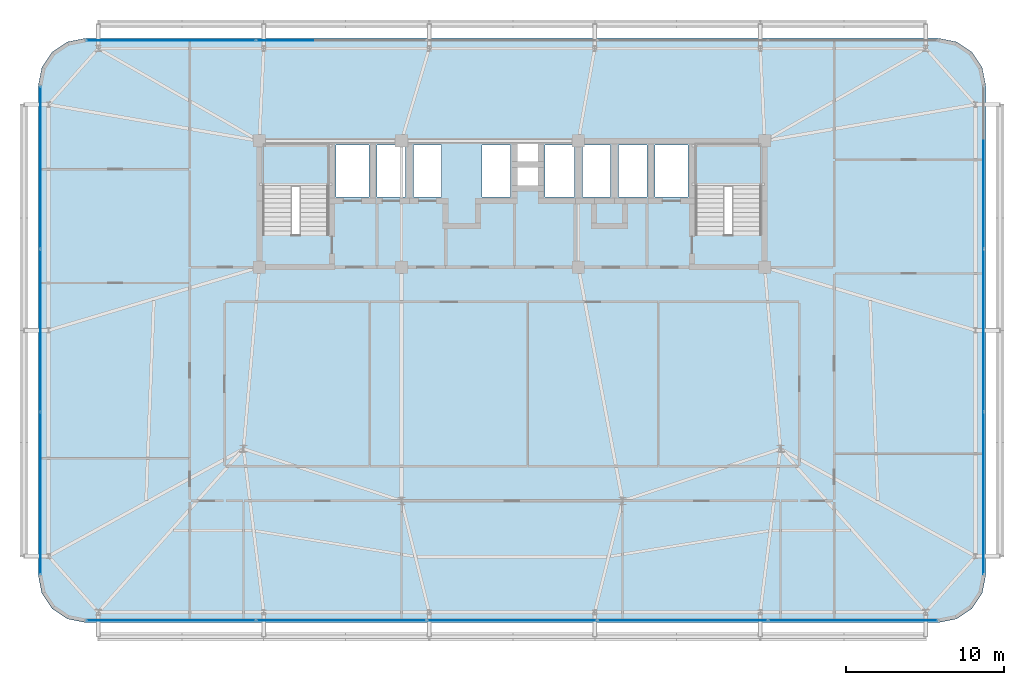
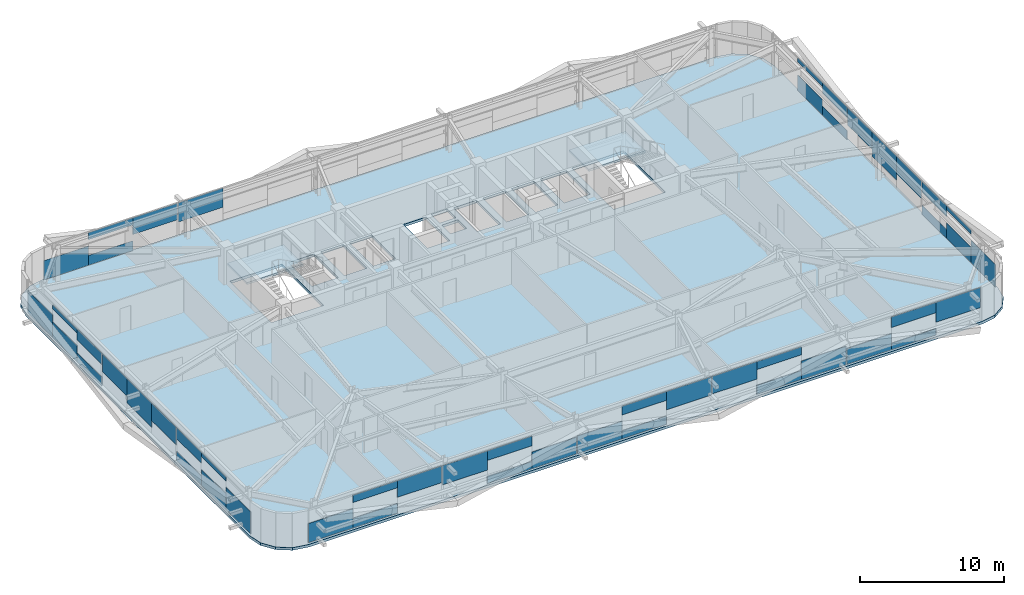
# One storey, part 29 of 45: 50 plates, 3 slabs, 6 elements without a shape of their own.
"""IFC4 building model written with IfcOpenShell, lengths in metres."""

from ifc_helpers import new_model, si_unit, direction, frame, origin, origin_2d, place, context, subcontext, project, spatial, polyline, rectangle, outline, extrude, source, transform, mapped, material, layer, layer_set, type_object, element, aggregate, save


model = new_model("IFC4")

# Units and contexts
model_context = context("Model", 3, precision=1e-05, world=origin(), true_north=direction((0.0, 1.0)))
body_context = subcontext(model_context, "Body", "Model", "MODEL_VIEW")
ifc_project = project(units=[si_unit("LENGTHUNIT", "METRE"), si_unit("AREAUNIT", "SQUARE_METRE"), si_unit("VOLUMEUNIT", "CUBIC_METRE"), si_unit("PLANEANGLEUNIT", "RADIAN"), si_unit("MASSUNIT", "GRAM", prefix="KILO")], contexts=[model_context])

# Site, building, storey
site_placement = place(None, origin())
site = spatial("IfcSite", under=ifc_project, at=site_placement, CompositionType="ELEMENT")
building_placement = place(site_placement, origin())
building = spatial("IfcBuilding", under=site, at=building_placement, Name="Taldren Reach Tower", CompositionType="ELEMENT")
storey_placement = place(building_placement, frame((0.0, 0.0, 57.75)))
storey = spatial("IfcBuildingStorey", under=building, at=storey_placement, Name="L17", CompositionType="ELEMENT", Elevation=57.75)

# Slab
ifc_material_1 = material(Name="Concrete N40 (40 MPa)", Category="concrete")
ifc_layer_1 = layer(ifc_material_1, 0.219970703125)
ifc_layer_set_1 = layer_set([ifc_layer_1], Name="Concrete N40 (40 MPa)")
slab_type_1 = type_object("IfcSlabType", Name="SL-FLR-220", PredefinedType="FLOOR", material=ifc_layer_set_1)
slab_1_placement = place(storey_placement, frame((0.0, 0.0, -0.219970703125)))
element("IfcSlab", 1, at=slab_1_placement, inside=storey, type_object=slab_type_1, Name="Suspended floor slab L17", PredefinedType="FLOOR", context=body_context, shape_type="SweptSolid", body=[
    extrude(outline(polyline([(62.0, 1.5), (63.14794921875, 1.728271484375), (64.121337890625, 2.378662109375), (64.771728515625, 3.35205078125), (65.0, 4.5), (65.0, 35.5), (64.771728515625, 36.64794921875), (64.121337890625, 37.621337890625), (63.14794921875, 38.271728515625), (62.0, 38.5), (8.0, 38.5), (6.85205078125, 38.271728515625), (5.878662109375, 37.621337890625), (5.228271484375, 36.64794921875), (5.0, 35.5), (5.0, 4.5), (5.228271484375, 3.35205078125), (5.878662109375, 2.378662109375), (6.85205078125, 1.728271484375), (8.0, 1.5), (62.0, 1.5)]), holes=[polyline([(19.219970703125, 26.050048828125), (23.3798828125, 26.050048828125), (23.3798828125, 31.820068359375), (19.219970703125, 31.820068359375), (19.219970703125, 26.050048828125)]), polyline([(46.6201171875, 26.050048828125), (50.780029296875, 26.050048828125), (50.780029296875, 31.820068359375), (46.6201171875, 31.820068359375), (46.6201171875, 26.050048828125)]), polyline([(23.85009765625, 28.449951171875), (25.949951171875, 28.449951171875), (25.949951171875, 31.75), (23.85009765625, 31.75), (23.85009765625, 28.449951171875)]), polyline([(44.050048828125, 28.449951171875), (46.14990234375, 28.449951171875), (46.14990234375, 31.75), (44.050048828125, 31.75), (44.050048828125, 28.449951171875)]), polyline([(26.449951171875, 28.449951171875), (28.25, 28.449951171875), (28.25, 31.75), (26.449951171875, 31.75), (26.449951171875, 28.449951171875)]), polyline([(28.75, 28.449951171875), (30.550048828125, 28.449951171875), (30.550048828125, 31.75), (28.75, 31.75), (28.75, 28.449951171875)]), polyline([(33.10009765625, 28.449951171875), (34.89990234375, 28.449951171875), (34.89990234375, 31.75), (33.10009765625, 31.75), (33.10009765625, 28.449951171875)]), polyline([(37.10009765625, 28.449951171875), (38.949951171875, 28.449951171875), (38.949951171875, 31.75), (37.10009765625, 31.75), (37.10009765625, 28.449951171875)]), polyline([(39.449951171875, 28.449951171875), (41.25, 28.449951171875), (41.25, 31.75), (39.449951171875, 31.75), (39.449951171875, 28.449951171875)]), polyline([(41.75, 28.449951171875), (43.550048828125, 28.449951171875), (43.550048828125, 31.75), (41.75, 31.75), (41.75, 28.449951171875)]), polyline([(35.35009765625, 30.64990234375), (36.64990234375, 30.64990234375), (36.64990234375, 31.85009765625), (35.35009765625, 31.85009765625), (35.35009765625, 30.64990234375)]), polyline([(35.35009765625, 29.14990234375), (36.64990234375, 29.14990234375), (36.64990234375, 30.35009765625), (35.35009765625, 30.35009765625), (35.35009765625, 29.14990234375)])]), origin(), (0.0, 0.0, 1.0), 0.219970703125),
])

# Stair, slab
ifc_material_2 = material(Name="Concrete S50 (50 MPa)", Category="concrete")
stair_type = type_object("IfcStairType", Name="ST-HT-315", PredefinedType="HALF_TURN_STAIR", material=ifc_material_2)
stair_1_placement = place(storey_placement, origin())
stair_1 = element("IfcStair", 2, at=stair_1_placement, inside=storey, type_object=stair_type, Name="Fire-isolated exit stair ST1 L17", PredefinedType="HALF_TURN_STAIR")
ifc_layer_2 = layer(ifc_material_2, 0.179931640625)
ifc_layer_set_2 = layer_set([ifc_layer_2], Name="Concrete S50 (50 MPa)")
slab_type_2 = type_object("IfcSlabType", Name="SL-LAND-180", PredefinedType="LANDING", material=ifc_layer_set_2)
slab_2_placement = place(storey_placement, frame((0.0, 0.0, 1.39501953125)))
slab_2 = element("IfcSlab", 3, at=slab_2_placement, type_object=slab_type_2, Name="ST1 landing 1", PredefinedType="LANDING", context=body_context, shape_type="SweptSolid", body=[
    extrude(outline(polyline([(19.0400390625, 29.135009765625), (23.56005859375, 29.135009765625), (23.56005859375, 31.8701171875), (19.0400390625, 31.8701171875), (19.0400390625, 29.135009765625)])), origin(), (0.0, 0.0, 1.0), 0.179931640625),
])
aggregate(stair_1, [slab_2])

stair_2_placement = place(storey_placement, origin())
stair_2 = element("IfcStair", 4, at=stair_2_placement, inside=storey, type_object=stair_type, Name="Fire-isolated exit stair ST2 L17", PredefinedType="HALF_TURN_STAIR")
slab_3_placement = place(storey_placement, frame((0.0, 0.0, 1.39501953125)))
slab_3 = element("IfcSlab", 5, at=slab_3_placement, type_object=slab_type_2, Name="ST2 landing 1", PredefinedType="LANDING", context=body_context, shape_type="SweptSolid", body=[
    extrude(outline(polyline([(46.43994140625, 29.135009765625), (50.9599609375, 29.135009765625), (50.9599609375, 31.8701171875), (46.43994140625, 31.8701171875), (46.43994140625, 29.135009765625)])), origin(), (0.0, 0.0, 1.0), 0.179931640625),
])
aggregate(stair_2, [slab_3])

# Curtain wall, plate
ifc_material_3 = material(Name="Aluminium and Low-E Glass Unitised System", Category="aluminium")
ifc_layer_3 = layer(ifc_material_3, 0.159912109375)
ifc_layer_set_3 = layer_set([ifc_layer_3], Name="Aluminium and Low-E Glass Unitised System")
curtain_wall_type = type_object("IfcCurtainWallType", Name="CW-SYS-2", PredefinedType="NOTDEFINED", material=ifc_layer_set_3)
curtain_wall_1_placement = place(storey_placement, origin())
curtain_wall_1 = element("IfcCurtainWall", 6, at=curtain_wall_1_placement, inside=storey, type_object=curtain_wall_type, Name="Unitised curtain wall CW-L17-S", PredefinedType="NOTDEFINED")
ifc_material_4 = material(Name="Solar-Control Double Glazed IGU", Category="glass")
ifc_layer_4 = layer(ifc_material_4, 0.031982421875)
ifc_layer_set_4 = layer_set([ifc_layer_4], Name="Solar-Control Double Glazed IGU")
plate_type = type_object("IfcPlateType", Name="CW-PNL-IGU32", PredefinedType="CURTAIN_PANEL", material=ifc_layer_set_4)
shared_shape_1 = source(origin(), body_context, "Body", "SweptSolid", [
    extrude(rectangle(XDim=3.5673828125, YDim=0.031982421875, at=origin_2d()), origin(), (0.0, 0.0, 1.0), 1.6279296875),
])
plate_1_placement = place(storey_placement, frame((9.8486328125, 1.639892578125, 0.054931640625), z_axis=(0.0, 0.0, 1.0), x_axis=(1.0, 0.0, 0.0)))
plate_1 = element("IfcPlate", 7, at=plate_1_placement, type_object=plate_type, Name="CW-2 panel 1.1 part 1", PredefinedType="CURTAIN_PANEL", context=body_context, shape_type="MappedRepresentation", body=[
    mapped(shared_shape_1, transform((0.0, 0.0, 0.0), scale=1.0)),
])

curtain_wall_2_placement = place(storey_placement, origin())
curtain_wall_2 = element("IfcCurtainWall", 8, at=curtain_wall_2_placement, inside=storey, type_object=curtain_wall_type, Name="Unitised curtain wall CW-L17-N", PredefinedType="NOTDEFINED")
plate_2_placement = place(storey_placement, frame((9.8486328125, 38.360107421875, 0.054931640625), z_axis=(0.0, 0.0, 1.0), x_axis=(-1.0, 0.0, 0.0)))
plate_2 = element("IfcPlate", 9, at=plate_2_placement, type_object=plate_type, Name="CW-2 panel 5.1 part 4", PredefinedType="CURTAIN_PANEL", context=body_context, shape_type="MappedRepresentation", body=[
    mapped(shared_shape_1, transform((0.0, 0.0, 0.0), scale=1.0)),
])

# Plate
shared_shape_2 = source(origin(), body_context, "Body", "SweptSolid", [
    extrude(rectangle(XDim=3.5673828125, YDim=0.031982421875, at=origin_2d()), origin(), (0.0, 0.0, 1.0), 0.8212890625),
])
plate_3_placement = place(storey_placement, frame((13.416259765625, 1.639892578125, 0.054931640625), z_axis=(0.0, 0.0, 1.0), x_axis=(1.0, 0.0, 0.0)))
plate_3 = element("IfcPlate", 10, at=plate_3_placement, type_object=plate_type, Name="CW-2 panel 1.1 part 2", PredefinedType="CURTAIN_PANEL", context=body_context, shape_type="MappedRepresentation", body=[
    mapped(shared_shape_2, transform((0.0, 0.0, 0.0), scale=1.0)),
])

plate_4_placement = place(storey_placement, frame((13.416259765625, 38.360107421875, 0.054931640625), z_axis=(0.0, 0.0, 1.0), x_axis=(-1.0, 0.0, 0.0)))
plate_4 = element("IfcPlate", 11, at=plate_4_placement, type_object=plate_type, Name="CW-2 panel 5.1 part 2", PredefinedType="CURTAIN_PANEL", context=body_context, shape_type="MappedRepresentation", body=[
    mapped(shared_shape_2, transform((0.0, 0.0, 0.0), scale=1.0)),
])

shared_shape_3 = source(origin(), body_context, "Body", "SweptSolid", [
    extrude(rectangle(XDim=3.5673828125, YDim=0.031982421875, at=origin_2d()), origin(), (0.0, 0.0, 1.0), 0.59912109375),
])
plate_5_placement = place(storey_placement, frame((13.416259765625, 1.639892578125, 2.2158203125), z_axis=(0.0, 0.0, 1.0), x_axis=(1.0, 0.0, 0.0)))
plate_5 = element("IfcPlate", 12, at=plate_5_placement, type_object=plate_type, Name="CW-2 panel 1.1 part 3", PredefinedType="CURTAIN_PANEL", context=body_context, shape_type="MappedRepresentation", body=[
    mapped(shared_shape_3, transform((0.0, 0.0, 0.0), scale=1.0)),
])

plate_6_placement = place(storey_placement, frame((13.416259765625, 38.360107421875, 2.2158203125), z_axis=(0.0, 0.0, 1.0), x_axis=(-1.0, 0.0, 0.0)))
plate_6 = element("IfcPlate", 13, at=plate_6_placement, type_object=plate_type, Name="CW-2 panel 5.1 part 3", PredefinedType="CURTAIN_PANEL", context=body_context, shape_type="MappedRepresentation", body=[
    mapped(shared_shape_3, transform((0.0, 0.0, 0.0), scale=1.0)),
])

shared_shape_4 = source(origin(), body_context, "Body", "SweptSolid", [
    extrude(rectangle(XDim=3.5673828125, YDim=0.031982421875, at=origin_2d()), origin(), (0.0, 0.0, 1.0), 1.406005859375),
])
plate_7_placement = place(storey_placement, frame((16.983642578125, 1.639892578125, 1.4091796875), z_axis=(0.0, 0.0, 1.0), x_axis=(1.0, 0.0, 0.0)))
plate_7 = element("IfcPlate", 14, at=plate_7_placement, type_object=plate_type, Name="CW-2 panel 1.1 part 4", PredefinedType="CURTAIN_PANEL", context=body_context, shape_type="MappedRepresentation", body=[
    mapped(shared_shape_4, transform((0.0, 0.0, 0.0), scale=1.0)),
])

plate_8_placement = place(storey_placement, frame((16.983642578125, 38.360107421875, 1.4091796875), z_axis=(0.0, 0.0, 1.0), x_axis=(-1.0, 0.0, 0.0)))
plate_8 = element("IfcPlate", 15, at=plate_8_placement, type_object=plate_type, Name="CW-2 panel 5.1 part 1", PredefinedType="CURTAIN_PANEL", context=body_context, shape_type="MappedRepresentation", body=[
    mapped(shared_shape_4, transform((0.0, 0.0, 0.0), scale=1.0)),
])

shared_shape_5 = source(origin(), body_context, "Body", "SweptSolid", [
    extrude(rectangle(XDim=3.578369140625, YDim=0.031982421875, at=origin_2d()), origin(), (0.0, 0.0, 1.0), 1.62060546875),
])
plate_9_placement = place(storey_placement, frame((20.62158203125, 1.639892578125, 1.1943359375), z_axis=(0.0, 0.0, 1.0), x_axis=(1.0, 0.0, 0.0)))
plate_9 = element("IfcPlate", 16, at=plate_9_placement, type_object=plate_type, Name="CW-2 panel 2.1 part 1", PredefinedType="CURTAIN_PANEL", context=body_context, shape_type="MappedRepresentation", body=[
    mapped(shared_shape_5, transform((0.0, 0.0, 0.0), scale=1.0)),
])

plate_10_placement = place(storey_placement, frame((20.62158203125, 38.360107421875, 1.1943359375), z_axis=(0.0, 0.0, 1.0), x_axis=(-1.0, 0.0, 0.0)))
plate_10 = element("IfcPlate", 17, at=plate_10_placement, type_object=plate_type, Name="CW-2 panel 4.1 part 4", PredefinedType="CURTAIN_PANEL", context=body_context, shape_type="MappedRepresentation", body=[
    mapped(shared_shape_5, transform((0.0, 0.0, 0.0), scale=1.0)),
])

aggregate(curtain_wall_2, [plate_10, plate_8, plate_4, plate_6, plate_2])

shared_shape_6 = source(origin(), body_context, "Body", "SweptSolid", [
    extrude(rectangle(XDim=3.578369140625, YDim=0.031982421875, at=origin_2d()), origin(), (0.0, 0.0, 1.0), 0.606689453125),
])
plate_11_placement = place(storey_placement, frame((24.199951171875, 1.639892578125, 0.05517578125), z_axis=(0.0, 0.0, 1.0), x_axis=(1.0, 0.0, 0.0)))
plate_11 = element("IfcPlate", 18, at=plate_11_placement, type_object=plate_type, Name="CW-2 panel 2.1 part 2", PredefinedType="CURTAIN_PANEL", context=body_context, shape_type="MappedRepresentation", body=[
    mapped(shared_shape_6, transform((0.0, 0.0, 0.0), scale=1.0)),
])

shared_shape_7 = source(origin(), body_context, "Body", "SweptSolid", [
    extrude(rectangle(XDim=3.578369140625, YDim=0.031982421875, at=origin_2d()), origin(), (0.0, 0.0, 1.0), 0.811279296875),
])
plate_12_placement = place(storey_placement, frame((24.199951171875, 1.639892578125, 2.00390625), z_axis=(0.0, 0.0, 1.0), x_axis=(1.0, 0.0, 0.0)))
plate_12 = element("IfcPlate", 19, at=plate_12_placement, type_object=plate_type, Name="CW-2 panel 2.1 part 3", PredefinedType="CURTAIN_PANEL", context=body_context, shape_type="MappedRepresentation", body=[
    mapped(shared_shape_7, transform((0.0, 0.0, 0.0), scale=1.0)),
])

shared_shape_8 = source(origin(), body_context, "Body", "SweptSolid", [
    extrude(rectangle(XDim=3.578369140625, YDim=0.031982421875, at=origin_2d()), origin(), (0.0, 0.0, 1.0), 1.415771484375),
])
plate_13_placement = place(storey_placement, frame((27.7783203125, 1.639892578125, 0.05517578125), z_axis=(0.0, 0.0, 1.0), x_axis=(1.0, 0.0, 0.0)))
plate_13 = element("IfcPlate", 20, at=plate_13_placement, type_object=plate_type, Name="CW-2 panel 2.1 part 4", PredefinedType="CURTAIN_PANEL", context=body_context, shape_type="MappedRepresentation", body=[
    mapped(shared_shape_8, transform((0.0, 0.0, 0.0), scale=1.0)),
])

shared_shape_9 = source(origin(), body_context, "Body", "SweptSolid", [
    extrude(rectangle(XDim=3.578369140625, YDim=0.031982421875, at=origin_2d()), origin(), (0.0, 0.0, 1.0), 1.48828125),
])
plate_14_placement = place(storey_placement, frame((31.421630859375, 1.639892578125, 0.054931640625), z_axis=(0.0, 0.0, 1.0), x_axis=(1.0, 0.0, 0.0)))
plate_14 = element("IfcPlate", 21, at=plate_14_placement, type_object=plate_type, Name="CW-2 panel 3.1 part 1", PredefinedType="CURTAIN_PANEL", context=body_context, shape_type="MappedRepresentation", body=[
    mapped(shared_shape_9, transform((0.0, 0.0, 0.0), scale=1.0)),
])

shared_shape_10 = source(origin(), body_context, "Body", "SweptSolid", [
    extrude(rectangle(XDim=3.578369140625, YDim=0.031982421875, at=origin_2d()), origin(), (0.0, 0.0, 1.0), 0.678955078125),
])
plate_15_placement = place(storey_placement, frame((35.0, 1.639892578125, 0.05517578125), z_axis=(0.0, 0.0, 1.0), x_axis=(1.0, 0.0, 0.0)))
plate_15 = element("IfcPlate", 22, at=plate_15_placement, type_object=plate_type, Name="CW-2 panel 3.1 part 2", PredefinedType="CURTAIN_PANEL", context=body_context, shape_type="MappedRepresentation", body=[
    mapped(shared_shape_10, transform((0.0, 0.0, 0.0), scale=1.0)),
])

shared_shape_11 = source(origin(), body_context, "Body", "SweptSolid", [
    extrude(rectangle(XDim=3.578369140625, YDim=0.031982421875, at=origin_2d()), origin(), (0.0, 0.0, 1.0), 0.739013671875),
])
plate_16_placement = place(storey_placement, frame((35.0, 1.639892578125, 2.076171875), z_axis=(0.0, 0.0, 1.0), x_axis=(1.0, 0.0, 0.0)))
plate_16 = element("IfcPlate", 23, at=plate_16_placement, type_object=plate_type, Name="CW-2 panel 3.1 part 3", PredefinedType="CURTAIN_PANEL", context=body_context, shape_type="MappedRepresentation", body=[
    mapped(shared_shape_11, transform((0.0, 0.0, 0.0), scale=1.0)),
])

shared_shape_12 = source(origin(), body_context, "Body", "SweptSolid", [
    extrude(rectangle(XDim=3.578369140625, YDim=0.031982421875, at=origin_2d()), origin(), (0.0, 0.0, 1.0), 1.548095703125),
])
plate_17_placement = place(storey_placement, frame((38.578369140625, 1.639892578125, 1.26708984375), z_axis=(0.0, 0.0, 1.0), x_axis=(1.0, 0.0, 0.0)))
plate_17 = element("IfcPlate", 24, at=plate_17_placement, type_object=plate_type, Name="CW-2 panel 3.1 part 4", PredefinedType="CURTAIN_PANEL", context=body_context, shape_type="MappedRepresentation", body=[
    mapped(shared_shape_12, transform((0.0, 0.0, 0.0), scale=1.0)),
])

shared_shape_13 = source(origin(), body_context, "Body", "SweptSolid", [
    extrude(rectangle(XDim=3.578369140625, YDim=0.031982421875, at=origin_2d()), origin(), (0.0, 0.0, 1.0), 1.475830078125),
])
plate_18_placement = place(storey_placement, frame((42.2216796875, 1.639892578125, 1.33935546875), z_axis=(0.0, 0.0, 1.0), x_axis=(1.0, 0.0, 0.0)))
plate_18 = element("IfcPlate", 25, at=plate_18_placement, type_object=plate_type, Name="CW-2 panel 4.1 part 1", PredefinedType="CURTAIN_PANEL", context=body_context, shape_type="MappedRepresentation", body=[
    mapped(shared_shape_13, transform((0.0, 0.0, 0.0), scale=1.0)),
])

shared_shape_14 = source(origin(), body_context, "Body", "SweptSolid", [
    extrude(rectangle(XDim=3.578369140625, YDim=0.031982421875, at=origin_2d()), origin(), (0.0, 0.0, 1.0), 0.751220703125),
])
plate_19_placement = place(storey_placement, frame((45.800048828125, 1.639892578125, 0.05517578125), z_axis=(0.0, 0.0, 1.0), x_axis=(1.0, 0.0, 0.0)))
plate_19 = element("IfcPlate", 26, at=plate_19_placement, type_object=plate_type, Name="CW-2 panel 4.1 part 2", PredefinedType="CURTAIN_PANEL", context=body_context, shape_type="MappedRepresentation", body=[
    mapped(shared_shape_14, transform((0.0, 0.0, 0.0), scale=1.0)),
])

shared_shape_15 = source(origin(), body_context, "Body", "SweptSolid", [
    extrude(rectangle(XDim=3.578369140625, YDim=0.031982421875, at=origin_2d()), origin(), (0.0, 0.0, 1.0), 0.66650390625),
])
plate_20_placement = place(storey_placement, frame((45.800048828125, 1.639892578125, 2.1484375), z_axis=(0.0, 0.0, 1.0), x_axis=(1.0, 0.0, 0.0)))
plate_20 = element("IfcPlate", 27, at=plate_20_placement, type_object=plate_type, Name="CW-2 panel 4.1 part 3", PredefinedType="CURTAIN_PANEL", context=body_context, shape_type="MappedRepresentation", body=[
    mapped(shared_shape_15, transform((0.0, 0.0, 0.0), scale=1.0)),
])

shared_shape_16 = source(origin(), body_context, "Body", "SweptSolid", [
    extrude(rectangle(XDim=3.578369140625, YDim=0.031982421875, at=origin_2d()), origin(), (0.0, 0.0, 1.0), 1.560546875),
])
plate_21_placement = place(storey_placement, frame((49.37841796875, 1.639892578125, 0.054931640625), z_axis=(0.0, 0.0, 1.0), x_axis=(1.0, 0.0, 0.0)))
plate_21 = element("IfcPlate", 28, at=plate_21_placement, type_object=plate_type, Name="CW-2 panel 4.1 part 4", PredefinedType="CURTAIN_PANEL", context=body_context, shape_type="MappedRepresentation", body=[
    mapped(shared_shape_16, transform((0.0, 0.0, 0.0), scale=1.0)),
])

shared_shape_17 = source(origin(), body_context, "Body", "SweptSolid", [
    extrude(rectangle(XDim=3.5673828125, YDim=0.031982421875, at=origin_2d()), origin(), (0.0, 0.0, 1.0), 1.345947265625),
])
plate_22_placement = place(storey_placement, frame((53.016357421875, 1.639892578125, 0.05517578125), z_axis=(0.0, 0.0, 1.0), x_axis=(1.0, 0.0, 0.0)))
plate_22 = element("IfcPlate", 29, at=plate_22_placement, type_object=plate_type, Name="CW-2 panel 5.1 part 1", PredefinedType="CURTAIN_PANEL", context=body_context, shape_type="MappedRepresentation", body=[
    mapped(shared_shape_17, transform((0.0, 0.0, 0.0), scale=1.0)),
])

shared_shape_18 = source(origin(), body_context, "Body", "SweptSolid", [
    extrude(rectangle(XDim=3.5673828125, YDim=0.031982421875, at=origin_2d()), origin(), (0.0, 0.0, 1.0), 0.5390625),
])
plate_23_placement = place(storey_placement, frame((56.583740234375, 1.639892578125, 0.054931640625), z_axis=(0.0, 0.0, 1.0), x_axis=(1.0, 0.0, 0.0)))
plate_23 = element("IfcPlate", 30, at=plate_23_placement, type_object=plate_type, Name="CW-2 panel 5.1 part 2", PredefinedType="CURTAIN_PANEL", context=body_context, shape_type="MappedRepresentation", body=[
    mapped(shared_shape_18, transform((0.0, 0.0, 0.0), scale=1.0)),
])

shared_shape_19 = source(origin(), body_context, "Body", "SweptSolid", [
    extrude(rectangle(XDim=3.5673828125, YDim=0.031982421875, at=origin_2d()), origin(), (0.0, 0.0, 1.0), 0.88134765625),
])
plate_24_placement = place(storey_placement, frame((56.583740234375, 1.639892578125, 1.93359375), z_axis=(0.0, 0.0, 1.0), x_axis=(1.0, 0.0, 0.0)))
plate_24 = element("IfcPlate", 31, at=plate_24_placement, type_object=plate_type, Name="CW-2 panel 5.1 part 3", PredefinedType="CURTAIN_PANEL", context=body_context, shape_type="MappedRepresentation", body=[
    mapped(shared_shape_19, transform((0.0, 0.0, 0.0), scale=1.0)),
])

shared_shape_20 = source(origin(), body_context, "Body", "SweptSolid", [
    extrude(rectangle(XDim=3.5673828125, YDim=0.031982421875, at=origin_2d()), origin(), (0.0, 0.0, 1.0), 1.68798828125),
])
plate_25_placement = place(storey_placement, frame((60.1513671875, 1.639892578125, 1.126953125), z_axis=(0.0, 0.0, 1.0), x_axis=(1.0, 0.0, 0.0)))
plate_25 = element("IfcPlate", 32, at=plate_25_placement, type_object=plate_type, Name="CW-2 panel 5.1 part 4", PredefinedType="CURTAIN_PANEL", context=body_context, shape_type="MappedRepresentation", body=[
    mapped(shared_shape_20, transform((0.0, 0.0, 0.0), scale=1.0)),
])

aggregate(curtain_wall_1, [plate_1, plate_3, plate_5, plate_7, plate_9, plate_11, plate_12, plate_13, plate_14, plate_15, plate_16, plate_17, plate_18, plate_19, plate_20, plate_21, plate_22, plate_23, plate_24, plate_25])

# Curtain wall, plates
curtain_wall_3_placement = place(storey_placement, origin())
curtain_wall_3 = element("IfcCurtainWall", 33, at=curtain_wall_3_placement, inside=storey, type_object=curtain_wall_type, Name="Unitised curtain wall CW-L17-W", PredefinedType="NOTDEFINED")
shared_shape_21 = source(origin(), body_context, "Body", "SweptSolid", [
    extrude(rectangle(XDim=3.411865234375, YDim=0.031982421875, at=origin_2d()), origin(), (0.0, 0.0, 1.0), 1.89404296875),
])
plate_26_placement = place(storey_placement, frame((5.139892578125, 33.72900390625, 0.05517578125), z_axis=(0.0, 0.0, 1.0), x_axis=(0.0, -1.0, 0.0)))
plate_26 = element("IfcPlate", 34, at=plate_26_placement, type_object=plate_type, Name="CW-2 panel 1.1 part 1", PredefinedType="CURTAIN_PANEL", context=body_context, shape_type="MappedRepresentation", body=[
    mapped(shared_shape_21, transform((0.0, 0.0, 0.0), scale=1.0)),
])
plate_27_placement = place(storey_placement, frame((5.139892578125, 6.27099609375, 0.05517578125), z_axis=(0.0, 0.0, 1.0), x_axis=(0.0, -1.0, 0.0)))
plate_27 = element("IfcPlate", 35, at=plate_27_placement, type_object=plate_type, Name="CW-2 panel 3.1 part 5", PredefinedType="CURTAIN_PANEL", context=body_context, shape_type="MappedRepresentation", body=[
    mapped(shared_shape_21, transform((0.0, 0.0, 0.0), scale=1.0)),
])

# Curtain wall, plate
curtain_wall_4_placement = place(storey_placement, origin())
curtain_wall_4 = element("IfcCurtainWall", 36, at=curtain_wall_4_placement, inside=storey, type_object=curtain_wall_type, Name="Unitised curtain wall CW-L17-E", PredefinedType="NOTDEFINED")
plate_28_placement = place(storey_placement, frame((64.860107421875, 6.27099609375, 0.05517578125), z_axis=(0.0, 0.0, 1.0), x_axis=(0.0, 1.0, 0.0)))
plate_28 = element("IfcPlate", 37, at=plate_28_placement, type_object=plate_type, Name="CW-2 panel 1.1 part 1", PredefinedType="CURTAIN_PANEL", context=body_context, shape_type="MappedRepresentation", body=[
    mapped(shared_shape_21, transform((0.0, 0.0, 0.0), scale=1.0)),
])

# Plate
shared_shape_22 = source(origin(), body_context, "Body", "SweptSolid", [
    extrude(rectangle(XDim=3.411865234375, YDim=0.031982421875, at=origin_2d()), origin(), (0.0, 0.0, 1.0), 1.32861328125),
])
plate_29_placement = place(storey_placement, frame((5.139892578125, 30.317138671875, 0.054931640625), z_axis=(0.0, 0.0, 1.0), x_axis=(0.0, -1.0, 0.0)))
plate_29 = element("IfcPlate", 38, at=plate_29_placement, type_object=plate_type, Name="CW-2 panel 1.1 part 2", PredefinedType="CURTAIN_PANEL", context=body_context, shape_type="MappedRepresentation", body=[
    mapped(shared_shape_22, transform((0.0, 0.0, 0.0), scale=1.0)),
])

plate_30_placement = place(storey_placement, frame((5.139892578125, 9.682861328125, 0.054931640625), z_axis=(0.0, 0.0, 1.0), x_axis=(0.0, -1.0, 0.0)))
plate_30 = element("IfcPlate", 39, at=plate_30_placement, type_object=plate_type, Name="CW-2 panel 3.1 part 3", PredefinedType="CURTAIN_PANEL", context=body_context, shape_type="MappedRepresentation", body=[
    mapped(shared_shape_22, transform((0.0, 0.0, 0.0), scale=1.0)),
])

plate_31_placement = place(storey_placement, frame((64.860107421875, 9.682861328125, 0.054931640625), z_axis=(0.0, 0.0, 1.0), x_axis=(0.0, 1.0, 0.0)))
plate_31 = element("IfcPlate", 40, at=plate_31_placement, type_object=plate_type, Name="CW-2 panel 1.1 part 2", PredefinedType="CURTAIN_PANEL", context=body_context, shape_type="MappedRepresentation", body=[
    mapped(shared_shape_22, transform((0.0, 0.0, 0.0), scale=1.0)),
])

plate_32_placement = place(storey_placement, frame((64.860107421875, 30.317138671875, 0.054931640625), z_axis=(0.0, 0.0, 1.0), x_axis=(0.0, 1.0, 0.0)))
plate_32 = element("IfcPlate", 41, at=plate_32_placement, type_object=plate_type, Name="CW-2 panel 3.1 part 3", PredefinedType="CURTAIN_PANEL", context=body_context, shape_type="MappedRepresentation", body=[
    mapped(shared_shape_22, transform((0.0, 0.0, 0.0), scale=1.0)),
])

shared_shape_23 = source(origin(), body_context, "Body", "SweptSolid", [
    extrude(rectangle(XDim=3.411865234375, YDim=0.031982421875, at=origin_2d()), origin(), (0.0, 0.0, 1.0), 0.3388671875),
])
plate_33_placement = place(storey_placement, frame((5.139892578125, 30.317138671875, 2.47607421875), z_axis=(0.0, 0.0, 1.0), x_axis=(0.0, -1.0, 0.0)))
plate_33 = element("IfcPlate", 42, at=plate_33_placement, type_object=plate_type, Name="CW-2 panel 1.1 part 3", PredefinedType="CURTAIN_PANEL", context=body_context, shape_type="MappedRepresentation", body=[
    mapped(shared_shape_23, transform((0.0, 0.0, 0.0), scale=1.0)),
])

plate_34_placement = place(storey_placement, frame((5.139892578125, 9.682861328125, 2.47607421875), z_axis=(0.0, 0.0, 1.0), x_axis=(0.0, -1.0, 0.0)))
plate_34 = element("IfcPlate", 43, at=plate_34_placement, type_object=plate_type, Name="CW-2 panel 3.1 part 4", PredefinedType="CURTAIN_PANEL", context=body_context, shape_type="MappedRepresentation", body=[
    mapped(shared_shape_23, transform((0.0, 0.0, 0.0), scale=1.0)),
])

plate_35_placement = place(storey_placement, frame((64.860107421875, 9.682861328125, 2.47607421875), z_axis=(0.0, 0.0, 1.0), x_axis=(0.0, 1.0, 0.0)))
plate_35 = element("IfcPlate", 44, at=plate_35_placement, type_object=plate_type, Name="CW-2 panel 1.1 part 3", PredefinedType="CURTAIN_PANEL", context=body_context, shape_type="MappedRepresentation", body=[
    mapped(shared_shape_23, transform((0.0, 0.0, 0.0), scale=1.0)),
])

plate_36_placement = place(storey_placement, frame((64.860107421875, 30.317138671875, 2.47607421875), z_axis=(0.0, 0.0, 1.0), x_axis=(0.0, 1.0, 0.0)))
plate_36 = element("IfcPlate", 45, at=plate_36_placement, type_object=plate_type, Name="CW-2 panel 3.1 part 4", PredefinedType="CURTAIN_PANEL", context=body_context, shape_type="MappedRepresentation", body=[
    mapped(shared_shape_23, transform((0.0, 0.0, 0.0), scale=1.0)),
])

shared_shape_24 = source(origin(), body_context, "Body", "SweptSolid", [
    extrude(rectangle(XDim=3.411865234375, YDim=0.031982421875, at=origin_2d()), origin(), (0.0, 0.0, 1.0), 0.76318359375),
])
plate_37_placement = place(storey_placement, frame((5.139892578125, 26.905029296875, 0.054931640625), z_axis=(0.0, 0.0, 1.0), x_axis=(0.0, -1.0, 0.0)))
plate_37 = element("IfcPlate", 46, at=plate_37_placement, type_object=plate_type, Name="CW-2 panel 1.1 part 4", PredefinedType="CURTAIN_PANEL", context=body_context, shape_type="MappedRepresentation", body=[
    mapped(shared_shape_24, transform((0.0, 0.0, 0.0), scale=1.0)),
])

plate_38_placement = place(storey_placement, frame((5.139892578125, 13.094970703125, 0.054931640625), z_axis=(0.0, 0.0, 1.0), x_axis=(0.0, -1.0, 0.0)))
plate_38 = element("IfcPlate", 47, at=plate_38_placement, type_object=plate_type, Name="CW-2 panel 3.1 part 1", PredefinedType="CURTAIN_PANEL", context=body_context, shape_type="MappedRepresentation", body=[
    mapped(shared_shape_24, transform((0.0, 0.0, 0.0), scale=1.0)),
])

plate_39_placement = place(storey_placement, frame((64.860107421875, 13.094970703125, 0.054931640625), z_axis=(0.0, 0.0, 1.0), x_axis=(0.0, 1.0, 0.0)))
plate_39 = element("IfcPlate", 48, at=plate_39_placement, type_object=plate_type, Name="CW-2 panel 1.1 part 4", PredefinedType="CURTAIN_PANEL", context=body_context, shape_type="MappedRepresentation", body=[
    mapped(shared_shape_24, transform((0.0, 0.0, 0.0), scale=1.0)),
])

plate_40_placement = place(storey_placement, frame((64.860107421875, 26.905029296875, 0.054931640625), z_axis=(0.0, 0.0, 1.0), x_axis=(0.0, 1.0, 0.0)))
plate_40 = element("IfcPlate", 49, at=plate_40_placement, type_object=plate_type, Name="CW-2 panel 3.1 part 1", PredefinedType="CURTAIN_PANEL", context=body_context, shape_type="MappedRepresentation", body=[
    mapped(shared_shape_24, transform((0.0, 0.0, 0.0), scale=1.0)),
])

shared_shape_25 = source(origin(), body_context, "Body", "SweptSolid", [
    extrude(rectangle(XDim=3.411865234375, YDim=0.031982421875, at=origin_2d()), origin(), (0.0, 0.0, 1.0), 0.904296875),
])
plate_41_placement = place(storey_placement, frame((5.139892578125, 26.905029296875, 1.91064453125), z_axis=(0.0, 0.0, 1.0), x_axis=(0.0, -1.0, 0.0)))
plate_41 = element("IfcPlate", 50, at=plate_41_placement, type_object=plate_type, Name="CW-2 panel 1.1 part 5", PredefinedType="CURTAIN_PANEL", context=body_context, shape_type="MappedRepresentation", body=[
    mapped(shared_shape_25, transform((0.0, 0.0, 0.0), scale=1.0)),
])

plate_42_placement = place(storey_placement, frame((5.139892578125, 13.094970703125, 1.91064453125), z_axis=(0.0, 0.0, 1.0), x_axis=(0.0, -1.0, 0.0)))
plate_42 = element("IfcPlate", 51, at=plate_42_placement, type_object=plate_type, Name="CW-2 panel 3.1 part 2", PredefinedType="CURTAIN_PANEL", context=body_context, shape_type="MappedRepresentation", body=[
    mapped(shared_shape_25, transform((0.0, 0.0, 0.0), scale=1.0)),
])

plate_43_placement = place(storey_placement, frame((64.860107421875, 13.094970703125, 1.91064453125), z_axis=(0.0, 0.0, 1.0), x_axis=(0.0, 1.0, 0.0)))
plate_43 = element("IfcPlate", 52, at=plate_43_placement, type_object=plate_type, Name="CW-2 panel 1.1 part 5", PredefinedType="CURTAIN_PANEL", context=body_context, shape_type="MappedRepresentation", body=[
    mapped(shared_shape_25, transform((0.0, 0.0, 0.0), scale=1.0)),
])

plate_44_placement = place(storey_placement, frame((64.860107421875, 26.905029296875, 1.91064453125), z_axis=(0.0, 0.0, 1.0), x_axis=(0.0, 1.0, 0.0)))
plate_44 = element("IfcPlate", 53, at=plate_44_placement, type_object=plate_type, Name="CW-2 panel 3.1 part 2", PredefinedType="CURTAIN_PANEL", context=body_context, shape_type="MappedRepresentation", body=[
    mapped(shared_shape_25, transform((0.0, 0.0, 0.0), scale=1.0)),
])

shared_shape_26 = source(origin(), body_context, "Body", "SweptSolid", [
    extrude(rectangle(XDim=3.4228515625, YDim=0.031982421875, at=origin_2d()), origin(), (0.0, 0.0, 1.0), 1.480712890625),
])
plate_45_placement = place(storey_placement, frame((5.139892578125, 23.4228515625, 1.33447265625), z_axis=(0.0, 0.0, 1.0), x_axis=(0.0, -1.0, 0.0)))
plate_45 = element("IfcPlate", 54, at=plate_45_placement, type_object=plate_type, Name="CW-2 panel 2.1 part 1", PredefinedType="CURTAIN_PANEL", context=body_context, shape_type="MappedRepresentation", body=[
    mapped(shared_shape_26, transform((0.0, 0.0, 0.0), scale=1.0)),
])

plate_46_placement = place(storey_placement, frame((5.139892578125, 16.5771484375, 1.33447265625), z_axis=(0.0, 0.0, 1.0), x_axis=(0.0, -1.0, 0.0)))
plate_46 = element("IfcPlate", 55, at=plate_46_placement, type_object=plate_type, Name="CW-2 panel 2.1 part 3", PredefinedType="CURTAIN_PANEL", context=body_context, shape_type="MappedRepresentation", body=[
    mapped(shared_shape_26, transform((0.0, 0.0, 0.0), scale=1.0)),
])

plate_47_placement = place(storey_placement, frame((64.860107421875, 16.5771484375, 1.33447265625), z_axis=(0.0, 0.0, 1.0), x_axis=(0.0, 1.0, 0.0)))
plate_47 = element("IfcPlate", 56, at=plate_47_placement, type_object=plate_type, Name="CW-2 panel 2.1 part 1", PredefinedType="CURTAIN_PANEL", context=body_context, shape_type="MappedRepresentation", body=[
    mapped(shared_shape_26, transform((0.0, 0.0, 0.0), scale=1.0)),
])

plate_48_placement = place(storey_placement, frame((64.860107421875, 23.4228515625, 1.33447265625), z_axis=(0.0, 0.0, 1.0), x_axis=(0.0, 1.0, 0.0)))
plate_48 = element("IfcPlate", 57, at=plate_48_placement, type_object=plate_type, Name="CW-2 panel 2.1 part 3", PredefinedType="CURTAIN_PANEL", context=body_context, shape_type="MappedRepresentation", body=[
    mapped(shared_shape_26, transform((0.0, 0.0, 0.0), scale=1.0)),
])

shared_shape_27 = source(origin(), body_context, "Body", "SweptSolid", [
    extrude(rectangle(XDim=3.4228515625, YDim=0.031982421875, at=origin_2d()), origin(), (0.0, 0.0, 1.0), 2.0478515625),
])
plate_49_placement = place(storey_placement, frame((5.139892578125, 20.0, 0.76708984375), z_axis=(0.0, 0.0, 1.0), x_axis=(0.0, -1.0, 0.0)))
plate_49 = element("IfcPlate", 58, at=plate_49_placement, type_object=plate_type, Name="CW-2 panel 2.1 part 2", PredefinedType="CURTAIN_PANEL", context=body_context, shape_type="MappedRepresentation", body=[
    mapped(shared_shape_27, transform((0.0, 0.0, 0.0), scale=1.0)),
])

aggregate(curtain_wall_3, [plate_26, plate_29, plate_33, plate_37, plate_41, plate_45, plate_49, plate_46, plate_38, plate_42, plate_30, plate_34, plate_27])

plate_50_placement = place(storey_placement, frame((64.860107421875, 20.0, 0.76708984375), z_axis=(0.0, 0.0, 1.0), x_axis=(0.0, 1.0, 0.0)))
plate_50 = element("IfcPlate", 59, at=plate_50_placement, type_object=plate_type, Name="CW-2 panel 2.1 part 2", PredefinedType="CURTAIN_PANEL", context=body_context, shape_type="MappedRepresentation", body=[
    mapped(shared_shape_27, transform((0.0, 0.0, 0.0), scale=1.0)),
])

aggregate(curtain_wall_4, [plate_28, plate_31, plate_35, plate_39, plate_43, plate_47, plate_50, plate_48, plate_40, plate_44, plate_32, plate_36])

save(model, "model.ifc")
